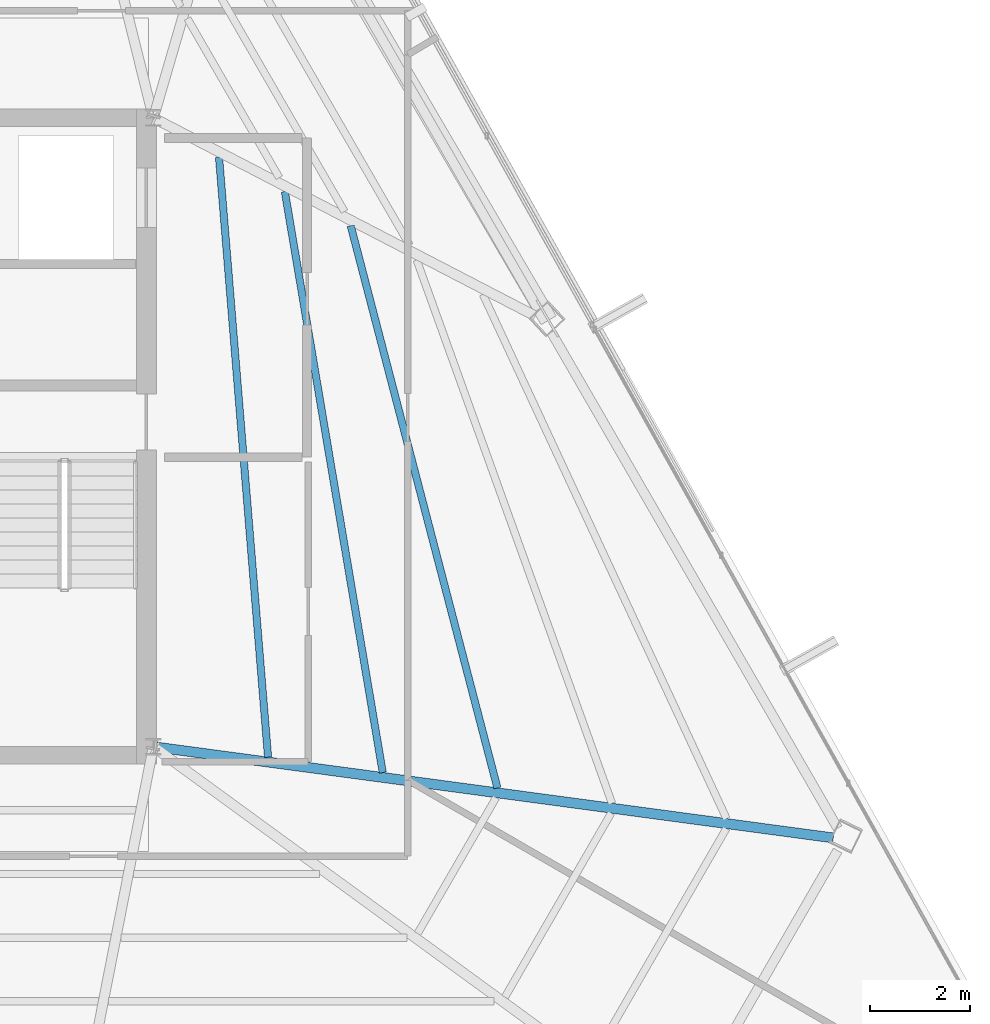
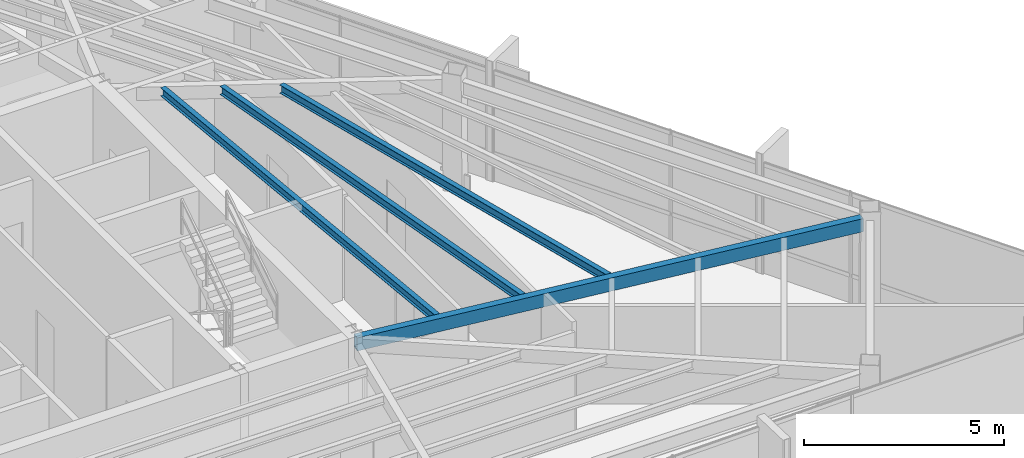
# One storey, part 24 of 45: 4 beams.
"""IFC4 building model written with IfcOpenShell, lengths in metres."""

from ifc_helpers import new_model, si_unit, direction, frame, origin, origin_2d, place, context, subcontext, project, spatial, hollow_rectangle, i_section, extrude, source, transform, mapped, material, material_profile, profile_set, type_object, type_shapes, element, save


model = new_model("IFC4")

# Units and contexts
model_context = context("Model", 3, precision=1e-05, world=origin(), true_north=direction((0.0, 1.0)))
body_context = subcontext(model_context, "Body", "Model", "MODEL_VIEW")
ifc_project = project(units=[si_unit("LENGTHUNIT", "METRE"), si_unit("AREAUNIT", "SQUARE_METRE"), si_unit("VOLUMEUNIT", "CUBIC_METRE"), si_unit("PLANEANGLEUNIT", "RADIAN"), si_unit("MASSUNIT", "GRAM", prefix="KILO")], contexts=[model_context])

# Site, building, storey
site_placement = place(None, origin())
site = spatial("IfcSite", under=ifc_project, at=site_placement, CompositionType="ELEMENT")
building_placement = place(site_placement, origin())
building = spatial("IfcBuilding", under=site, at=building_placement, Name="Caelisora Broadcast Tower", CompositionType="ELEMENT")
storey_placement = place(building_placement, frame((0.0, 0.0, 273.64990234375)))
storey = spatial("IfcBuildingStorey", under=building, at=storey_placement, Name="L72", CompositionType="ELEMENT", Elevation=273.64990234375)

# Beams
ifc_material_1 = material(Name="Steel Grade 350 (AS/NZS 1163 C350L0)", Category="steel")
ifc_material_profile_1 = material_profile(ifc_material_1, hollow_rectangle(XDim=0.199951171875, YDim=0.39990234375, WallThickness=0.012451171875, at=origin_2d()), Name="Steel Grade 350 (AS/NZS 1163 C350L0)")
ifc_profile_set_1 = profile_set([ifc_material_profile_1], Name="Steel Grade 350 (AS/NZS 1163 C350L0)")
beam_type_1 = type_object("IfcBeamType", Name="PG07", PredefinedType="BEAM", material=ifc_profile_set_1)
shared_shape_1 = source(origin(), body_context, "Body", "SweptSolid", [
    extrude(hollow_rectangle(XDim=0.199951171875, YDim=0.39990234375, WallThickness=0.012451171875, at=origin_2d()), origin(), (0.0, 0.0, 1.0), 13.68603515625),
])
type_shapes(beam_type_1, [shared_shape_1])
beam_1_placement = place(storey_placement, frame((45.5595703125, 17.39208984375, 3.2001953125), z_axis=(0.991117721891, -0.132987448105, 0.0), x_axis=(0.132987448105, 0.991117721891, 0.0)))
element("IfcBeam", 1, at=beam_1_placement, inside=storey, type_object=beam_type_1, Name="L72 beam PG07", PredefinedType="BEAM", context=body_context, shape_type="MappedRepresentation", body=[
    mapped(shared_shape_1, transform((0.0, 0.0, 0.0), scale=1.0)),
])
ifc_material_2 = material(Name="Steel Grade 350 (AS/NZS 3679.1)", Category="steel")
ifc_material_profile_2 = material_profile(ifc_material_2, i_section(OverallWidth=0.14599609375, OverallDepth=0.256103515625, WebThickness=0.00634765625, FlangeThickness=0.010986328125, at=origin_2d()), Name="Steel Grade 350 (AS/NZS 3679.1)")
ifc_profile_set_2 = profile_set([ifc_material_profile_2], Name="Steel Grade 350 (AS/NZS 3679.1)")
beam_type_2 = type_object("IfcBeamType", Name="SB04", PredefinedType="JOIST", material=ifc_profile_set_2)
shared_shape_2 = source(origin(), body_context, "Body", "SweptSolid", [
    extrude(i_section(OverallWidth=0.14599609375, OverallDepth=0.256103515625, WebThickness=0.00634765625, FlangeThickness=0.010986328125, at=origin_2d()), origin(), (0.0, 0.0, 1.0), 12.05810546875),
])
beam_2_placement = place(storey_placement, frame((47.798828125, 17.189453125, 3.27197265625), z_axis=(-0.081453543491, 0.996677139425, 0.0), x_axis=(-0.996677139425, -0.081453543491, 0.0)))
element("IfcBeam", 2, at=beam_2_placement, inside=storey, type_object=beam_type_2, Name="L72 beam SB04", PredefinedType="JOIST", context=body_context, shape_type="MappedRepresentation", body=[
    mapped(shared_shape_2, transform((0.0, 0.0, 0.0), scale=1.0)),
])
shared_shape_3 = source(origin(), body_context, "Body", "SweptSolid", [
    extrude(i_section(OverallWidth=0.14599609375, OverallDepth=0.256103515625, WebThickness=0.00634765625, FlangeThickness=0.010986328125, at=origin_2d()), origin(), (0.0, 0.0, 1.0), 11.806884765625),
])
beam_3_placement = place(storey_placement, frame((50.09716796875, 16.881103515625, 3.27197265625), z_axis=(-0.166209428822, 0.986090475449, 0.0), x_axis=(-0.986090475449, -0.166209428822, 0.0)))
element("IfcBeam", 3, at=beam_3_placement, inside=storey, type_object=beam_type_2, Name="L72 beam SB04", PredefinedType="JOIST", context=body_context, shape_type="MappedRepresentation", body=[
    mapped(shared_shape_3, transform((0.0, 0.0, 0.0), scale=1.0)),
])
shared_shape_4 = source(origin(), body_context, "Body", "SweptSolid", [
    extrude(i_section(OverallWidth=0.14599609375, OverallDepth=0.256103515625, WebThickness=0.00634765625, FlangeThickness=0.010986328125, at=origin_2d()), origin(), (0.0, 0.0, 1.0), 11.64306640625),
])
type_shapes(beam_type_2, [shared_shape_2, shared_shape_3, shared_shape_4])
beam_4_placement = place(storey_placement, frame((52.39453125, 16.572998046875, 3.27197265625), z_axis=(-0.252464576798, 0.96760613757, 0.0), x_axis=(-0.96760613757, -0.252464576798, 0.0)))
element("IfcBeam", 4, at=beam_4_placement, inside=storey, type_object=beam_type_2, Name="L72 beam SB04", PredefinedType="JOIST", context=body_context, shape_type="MappedRepresentation", body=[
    mapped(shared_shape_4, transform((0.0, 0.0, 0.0), scale=1.0)),
])

save(model, "model.ifc")
